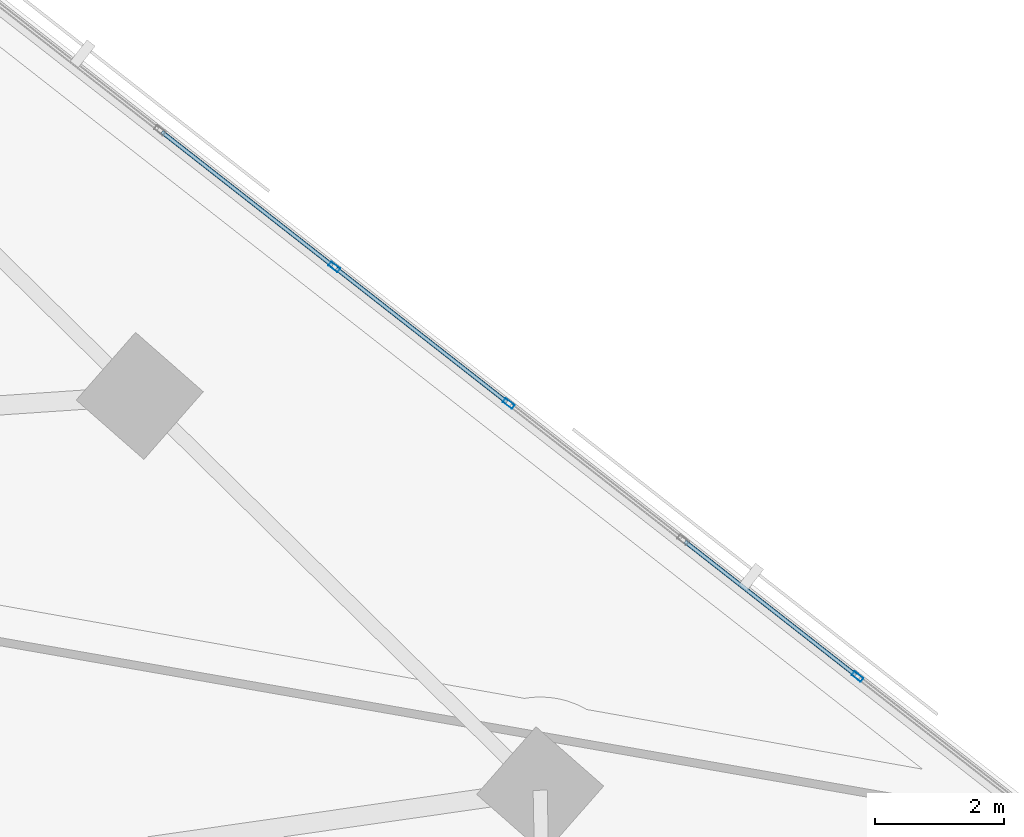
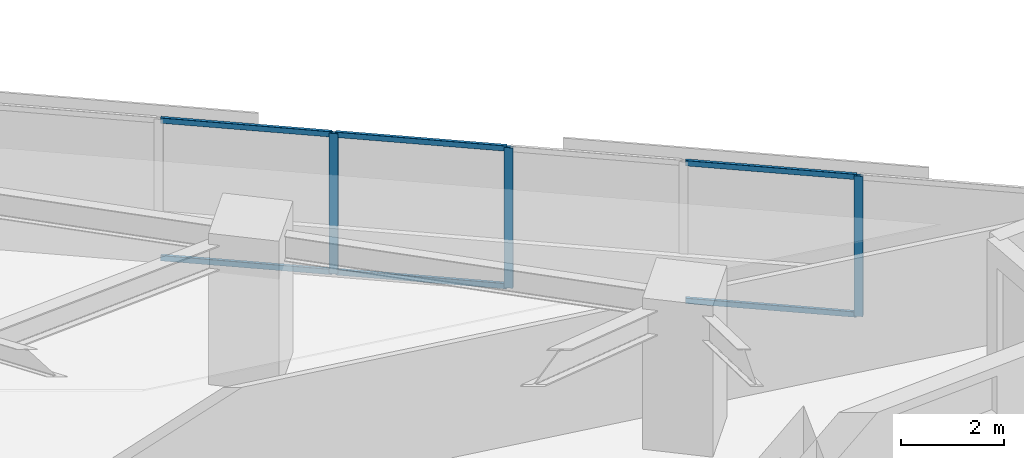
# One storey, part 5 of 15: 9 members, 1 element without a shape of its own.
"""IFC4 building model written with IfcOpenShell, lengths in metres."""

from ifc_helpers import new_model, si_unit, direction, frame, origin, origin_2d, place, context, subcontext, project, spatial, hollow_rectangle, extrude, material, material_profile, profile_set, type_object, element, aggregate, save


model = new_model("IFC4")

# Units and contexts
model_context = context("Model", 3, precision=1e-05, world=origin(), true_north=direction((0.0, 1.0)))
body_context = subcontext(model_context, "Body", "Model", "MODEL_VIEW")
ifc_project = project(units=[si_unit("LENGTHUNIT", "METRE"), si_unit("AREAUNIT", "SQUARE_METRE"), si_unit("VOLUMEUNIT", "CUBIC_METRE"), si_unit("PLANEANGLEUNIT", "RADIAN"), si_unit("MASSUNIT", "GRAM", prefix="KILO")], contexts=[model_context])

# Site, building, storey
site_placement = place(None, origin())
site = spatial("IfcSite", under=ifc_project, at=site_placement, CompositionType="ELEMENT")
building_placement = place(site_placement, origin())
building = spatial("IfcBuilding", under=site, at=building_placement, Name="Narakoshi Arena Tower", CompositionType="ELEMENT")
storey_placement = place(building_placement, frame((0.0, 0.0, 74.10009765625)))
storey = spatial("IfcBuildingStorey", under=building, at=storey_placement, Name="L19", CompositionType="ELEMENT", Elevation=74.10009765625)

# Curtain wall, members
ifc_material = material(Name="Anodised bronze aluminium 6063-T6", Category="aluminium")
curtain_wall_type = type_object("IfcCurtainWallType", Name="CW-HYP-LOW", PredefinedType="NOTDEFINED", material=ifc_material)
curtain_wall_placement = place(storey_placement, origin())
curtain_wall = element("IfcCurtainWall", 1, at=curtain_wall_placement, inside=storey, type_object=curtain_wall_type, Name="L19 Folded Hypotenuse Curtain Wall 1-1", PredefinedType="NOTDEFINED")
ifc_material_profile_1 = material_profile(ifc_material, hollow_rectangle(XDim=0.074951171875, YDim=0.179931640625, WallThickness=0.00390625, OuterFilletRadius=0.0048828125, at=origin_2d()), Name="MUL180x75x4")
ifc_profile_set_1 = profile_set([ifc_material_profile_1], Name="Anodised bronze aluminium 6063-T6")
member_type_1 = type_object("IfcMemberType", Name="MEM-MUL-180", PredefinedType="MULLION", material=ifc_profile_set_1)
member_1_placement = place(storey_placement, frame((118.150634765625, 40.435791015625, 0.0), z_axis=(0.0, 0.0, 1.0), x_axis=(-0.616458234641, -0.787387607817, 0.0)))
member_1 = element("IfcMember", 2, at=member_1_placement, type_object=member_type_1, Name="CW-01 mullion 2", PredefinedType="MULLION", context=body_context, shape_type="SweptSolid", body=[
    extrude(hollow_rectangle(XDim=0.074951171875, YDim=0.179931640625, WallThickness=0.00390625, OuterFilletRadius=0.0048828125, at=origin_2d()), origin(), (0.0, 0.0, 1.0), 3.33984375),
])
member_2_placement = place(storey_placement, frame((112.7275390625, 44.681640625, 0.0), z_axis=(0.0, 0.0, 1.0), x_axis=(-0.616458234641, -0.787387607817, 0.0)))
member_2 = element("IfcMember", 3, at=member_2_placement, type_object=member_type_1, Name="CW-01 mullion 4", PredefinedType="MULLION", context=body_context, shape_type="SweptSolid", body=[
    extrude(hollow_rectangle(XDim=0.074951171875, YDim=0.179931640625, WallThickness=0.00390625, OuterFilletRadius=0.0048828125, at=origin_2d()), origin(), (0.0, 0.0, 1.0), 3.33984375),
])
member_3_placement = place(storey_placement, frame((110.015869140625, 46.8046875, 0.0), z_axis=(0.0, 0.0, 1.0), x_axis=(-0.616458234641, -0.787387607817, 0.0)))
member_3 = element("IfcMember", 4, at=member_3_placement, type_object=member_type_1, Name="CW-01 mullion 5", PredefinedType="MULLION", context=body_context, shape_type="SweptSolid", body=[
    extrude(hollow_rectangle(XDim=0.074951171875, YDim=0.179931640625, WallThickness=0.00390625, OuterFilletRadius=0.0048828125, at=origin_2d()), origin(), (0.0, 0.0, 1.0), 3.33984375),
])
ifc_material_profile_2 = material_profile(ifc_material, hollow_rectangle(XDim=0.06494140625, YDim=0.1298828125, WallThickness=0.00390625, OuterFilletRadius=0.0048828125, at=origin_2d()), Name="TRN130x65x4")
ifc_profile_set_2 = profile_set([ifc_material_profile_2], Name="Anodised bronze aluminium 6063-T6")
member_type_2 = type_object("IfcMemberType", Name="MEM-TRN-130", PredefinedType="USERDEFINED", material=ifc_profile_set_2)
member_4_placement = place(storey_placement, frame((118.12109375, 40.458984375, 0.032470703125), z_axis=(-0.787400998112, 0.616441131149, 0.0), x_axis=(-0.616441131149, -0.787400998112, 0.0)))
member_4 = element("IfcMember", 5, at=member_4_placement, type_object=member_type_2, Name="CW-01 transom 2.1", ObjectType="TRANSOM", PredefinedType="USERDEFINED", context=body_context, shape_type="SweptSolid", body=[
    extrude(hollow_rectangle(XDim=0.06494140625, YDim=0.1298828125, WallThickness=0.00390625, OuterFilletRadius=0.0048828125, at=origin_2d()), origin(), (0.0, 0.0, 1.0), 3.368896484375),
])
member_5_placement = place(storey_placement, frame((118.12109375, 40.458984375, 3.307373046875), z_axis=(-0.787400998112, 0.616441131149, 0.0), x_axis=(-0.616441131149, -0.787400998112, 0.0)))
member_5 = element("IfcMember", 6, at=member_5_placement, type_object=member_type_2, Name="CW-01 transom 2.2", ObjectType="TRANSOM", PredefinedType="USERDEFINED", context=body_context, shape_type="SweptSolid", body=[
    extrude(hollow_rectangle(XDim=0.06494140625, YDim=0.1298828125, WallThickness=0.00390625, OuterFilletRadius=0.0048828125, at=origin_2d()), origin(), (0.0, 0.0, 1.0), 3.368896484375),
])
member_6_placement = place(storey_placement, frame((112.697998046875, 44.704833984375, 0.032470703125), z_axis=(-0.787400998112, 0.616441131149, 0.0), x_axis=(-0.616441131149, -0.787400998112, 0.0)))
member_6 = element("IfcMember", 7, at=member_6_placement, type_object=member_type_2, Name="CW-01 transom 4.1", ObjectType="TRANSOM", PredefinedType="USERDEFINED", context=body_context, shape_type="SweptSolid", body=[
    extrude(hollow_rectangle(XDim=0.06494140625, YDim=0.1298828125, WallThickness=0.00390625, OuterFilletRadius=0.0048828125, at=origin_2d()), origin(), (0.0, 0.0, 1.0), 3.368896484375),
])
member_7_placement = place(storey_placement, frame((112.697998046875, 44.704833984375, 3.307373046875), z_axis=(-0.787400998112, 0.616441131149, 0.0), x_axis=(-0.616441131149, -0.787400998112, 0.0)))
member_7 = element("IfcMember", 8, at=member_7_placement, type_object=member_type_2, Name="CW-01 transom 4.2", ObjectType="TRANSOM", PredefinedType="USERDEFINED", context=body_context, shape_type="SweptSolid", body=[
    extrude(hollow_rectangle(XDim=0.06494140625, YDim=0.1298828125, WallThickness=0.00390625, OuterFilletRadius=0.0048828125, at=origin_2d()), origin(), (0.0, 0.0, 1.0), 3.368896484375),
])
member_8_placement = place(storey_placement, frame((109.986328125, 46.827880859375, 0.032470703125), z_axis=(-0.787373456673, 0.616476309137, 0.0), x_axis=(-0.616476309137, -0.787373456673, 0.0)))
member_8 = element("IfcMember", 9, at=member_8_placement, type_object=member_type_2, Name="CW-01 transom 5.1", ObjectType="TRANSOM", PredefinedType="USERDEFINED", context=body_context, shape_type="SweptSolid", body=[
    extrude(hollow_rectangle(XDim=0.06494140625, YDim=0.1298828125, WallThickness=0.00390625, OuterFilletRadius=0.0048828125, at=origin_2d()), origin(), (0.0, 0.0, 1.0), 3.36865234375),
])
member_9_placement = place(storey_placement, frame((109.986328125, 46.827880859375, 3.307373046875), z_axis=(-0.787373456673, 0.616476309137, 0.0), x_axis=(-0.616476309137, -0.787373456673, 0.0)))
member_9 = element("IfcMember", 10, at=member_9_placement, type_object=member_type_2, Name="CW-01 transom 5.2", ObjectType="TRANSOM", PredefinedType="USERDEFINED", context=body_context, shape_type="SweptSolid", body=[
    extrude(hollow_rectangle(XDim=0.06494140625, YDim=0.1298828125, WallThickness=0.00390625, OuterFilletRadius=0.0048828125, at=origin_2d()), origin(), (0.0, 0.0, 1.0), 3.36865234375),
])
aggregate(curtain_wall, [member_1, member_2, member_3, member_4, member_5, member_6, member_7, member_8, member_9])

save(model, "model.ifc")
